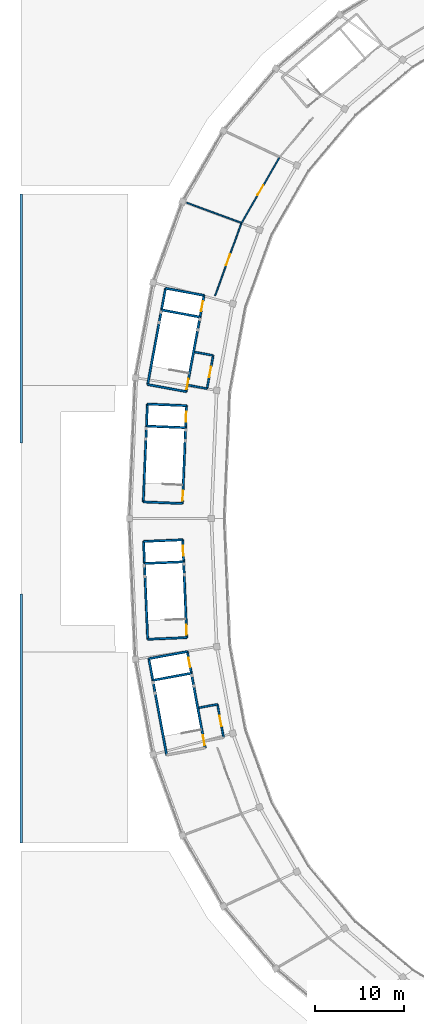
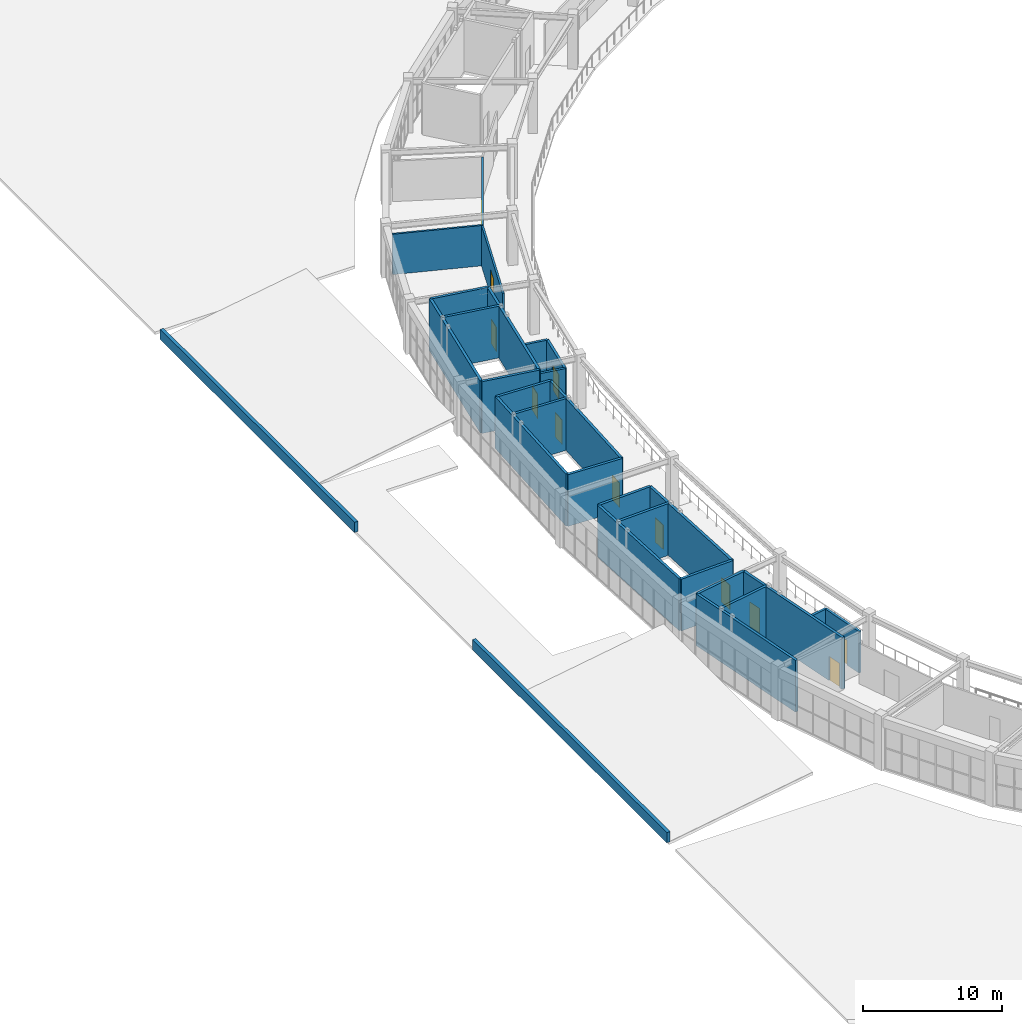
# One storey, part 38 of 45: 29 walls, 12 doors, 12 openings.
"""IFC4 building model written with IfcOpenShell, lengths in metres."""

from ifc_helpers import new_model, si_unit, direction, frame, frame_2d, origin, place, context, subcontext, project, spatial, rectangle, extrude, material, layer, layer_set, type_object, element, fill, save


model = new_model("IFC4")

# Units and contexts
model_context = context("Model", 3, precision=1e-05, world=origin(), true_north=direction((0.0, 1.0)))
body_context = subcontext(model_context, "Body", "Model", "MODEL_VIEW")
ifc_project = project(units=[si_unit("LENGTHUNIT", "METRE"), si_unit("AREAUNIT", "SQUARE_METRE"), si_unit("VOLUMEUNIT", "CUBIC_METRE"), si_unit("PLANEANGLEUNIT", "RADIAN"), si_unit("MASSUNIT", "GRAM", prefix="KILO")], contexts=[model_context])

# Site, building, storey
site_placement = place(None, origin())
site = spatial("IfcSite", under=ifc_project, at=site_placement, CompositionType="ELEMENT")
building_placement = place(site_placement, origin())
building = spatial("IfcBuilding", under=site, at=building_placement, Name="Mphavela Belvedere Stadium", CompositionType="ELEMENT")
storey_placement = place(building_placement, frame((0.0, 0.0, 24.0)))
storey = spatial("IfcBuildingStorey", under=building, at=storey_placement, Name="L05", CompositionType="ELEMENT", Elevation=24.0)

# Walls
ifc_material_1 = material(Name="Concrete C40/50", Category="concrete")
ifc_layer_1 = layer(ifc_material_1, 0.219970703125)
ifc_layer_set_1 = layer_set([ifc_layer_1], Name="Concrete C40/50")
wall_type_1 = type_object("IfcWallType", Name="WAL-CORE-SHEAR-220", PredefinedType="SHEAR", material=ifc_layer_set_1)
wall_1_placement = place(storey_placement, frame((14.228271484375, 102.085205078125, 0.0), z_axis=(0.0, 0.0, 1.0), x_axis=(0.182574755222, 0.983191974517, 0.0)))
element("IfcWall", 1, at=wall_1_placement, inside=storey, type_object=wall_type_1, Name="Core C06 shear wall L05 rear", PredefinedType="SHEAR", context=body_context, shape_type="SweptSolid", body=[
    extrude(rectangle(XDim=11.02001953125, YDim=0.219970703125, at=frame_2d((5.510009765625, 0.0))), origin(), (0.0, 0.0, 1.0), 4.550048828125),
])
for number, where, z_axis, x_axis, name in (
    (2, (18.56396484375, 101.27978515625, 0.0), (0.0, 0.0, 1.0), (-0.983179789985, 0.182640358532, 0.0), "Core C06 shear wall L05 left"),
    (3, (20.575927734375, 112.11474609375, 0.0), (0.0, 0.0, 1.0), (-0.983189729951, 0.18258684213, 0.0), "Core C06 shear wall L05 right"),
):
    element("IfcWall", number, at=place(storey_placement, frame(where, z_axis=z_axis, x_axis=x_axis)), inside=storey, type_object=wall_type_1, Name=name, PredefinedType="SHEAR", context=body_context, shape_type="SweptSolid", body=[
        extrude(rectangle(XDim=4.409912109375, YDim=0.219970703125, at=frame_2d((2.205078125, 0.0))), origin(), (0.0, 0.0, 1.0), 4.550048828125),
    ])

# Wall, openings, doors
wall_2_placement = place(storey_placement, frame((18.56396484375, 101.27978515625, 0.0), z_axis=(0.0, 0.0, 1.0), x_axis=(0.182570778451, 0.983192712979, 0.0)))
wall_2 = element("IfcWall", 4, at=wall_2_placement, inside=storey, type_object=wall_type_1, Name="Core C06 shear wall L05 front", PredefinedType="SHEAR", context=body_context, shape_type="SweptSolid", body=[
    extrude(rectangle(XDim=11.020263671875, YDim=0.219970703125, at=frame_2d((5.51025390625, 0.0))), origin(), (0.0, 0.0, 1.0), 4.550048828125),
])
opening_1_placement = place(wall_2_placement, frame((0.300048828125, 0.0, 0.0)))
opening_1 = element("IfcOpeningElement", 5, at=opening_1_placement, cuts=wall_2, Name="Opening SD-032", PredefinedType="OPENING", context=body_context, shape_type="SweptSolid", body=[
    extrude(rectangle(XDim=1.14990234375, YDim=2.14990234375, at=frame_2d((0.574951171875, 1.074951171875))), frame((0.0, 0.1201171875, 0.0), z_axis=(0.0, -1.0, 0.0), x_axis=(1.0, 0.0, 0.0)), (0.0, 0.0, 1.0), 0.239990234375),
])
opening_2_placement = place(wall_2_placement, frame((9.22998046875, 0.0, 0.0)))
opening_2 = element("IfcOpeningElement", 6, at=opening_2_placement, cuts=wall_2, Name="Opening LD-032", PredefinedType="OPENING", context=body_context, shape_type="SweptSolid", body=[
    extrude(rectangle(XDim=1.10009765625, YDim=2.14990234375, at=frame_2d((0.550048828125, 1.074951171875))), frame((0.0, 0.1201171875, 0.0), z_axis=(0.0, -1.0, 0.0), x_axis=(1.0, 0.0, 0.0)), (0.0, 0.0, 1.0), 0.239990234375),
])
ifc_material_2 = material(Name="Stainless steel center-parting lift landing door", Category="steel")
door_type_1 = type_object("IfcDoorType", Name="DR-LIFT-SLIDE-1100", OperationType="NOTDEFINED", PredefinedType="DOOR", material=ifc_material_2)
door_1_placement = place(opening_2_placement, origin())
door_1 = element("IfcDoor", 7, at=door_1_placement, inside=storey, type_object=door_type_1, Name="Lift landing sliding door FL03 L05", OperationType="DOUBLE_DOOR_SLIDING", OverallHeight=2.14990234375, OverallWidth=1.10009765625, PredefinedType="DOOR", context=body_context, shape_type="SweptSolid", body=[
    extrude(rectangle(XDim=1.10009765625, YDim=2.14990234375, at=frame_2d((0.550048828125, 1.074951171875))), frame((0.0, 0.02490234375, 0.0), z_axis=(0.0, -1.0, 0.0), x_axis=(1.0, 0.0, 0.0)), (0.0, 0.0, 1.0), 0.050048828125),
])
fill(opening_2, door_1)
ifc_material_3 = material(Name="Steel acoustic fire-resisting stair doorset", Category="steel")
door_type_2 = type_object("IfcDoorType", Name="DR-STAIR-FIRE-1150", OperationType="NOTDEFINED", PredefinedType="DOOR", material=ifc_material_3)
door_2_placement = place(opening_1_placement, origin())
door_2 = element("IfcDoor", 8, at=door_2_placement, inside=storey, type_object=door_type_2, Name="Escape stair fire door C06 L05", OperationType="SINGLE_SWING_LEFT", OverallHeight=2.14990234375, OverallWidth=1.14990234375, PredefinedType="DOOR", context=body_context, shape_type="SweptSolid", body=[
    extrude(rectangle(XDim=1.14990234375, YDim=2.14990234375, at=frame_2d((0.574951171875, 1.074951171875))), frame((0.0, 0.02490234375, 0.0), z_axis=(0.0, -1.0, 0.0), x_axis=(1.0, 0.0, 0.0)), (0.0, 0.0, 1.0), 0.050048828125),
])
fill(opening_1, door_2)

# Walls
wall_3_placement = place(storey_placement, frame((20.123291015625, 109.676513671875, 0.0), z_axis=(0.0, 0.0, 1.0), x_axis=(-0.983201511677, 0.182523388739, 0.0)))
element("IfcWall", 9, at=wall_3_placement, inside=storey, type_object=wall_type_1, Name="Core C06 shear wall L05 div", PredefinedType="SHEAR", context=body_context, shape_type="SweptSolid", body=[
    extrude(rectangle(XDim=4.409912109375, YDim=0.219970703125, at=frame_2d((2.205078125, 0.0))), origin(), (0.0, 0.0, 1.0), 4.550048828125),
])
wall_4_placement = place(storey_placement, frame((13.737548828125, 88.87548828125, 0.0), z_axis=(0.0, 0.0, 1.0), x_axis=(0.041871977473, 0.999122984173, 0.0)))
element("IfcWall", 10, at=wall_4_placement, inside=storey, type_object=wall_type_1, Name="Core C07 shear wall L05 rear", PredefinedType="SHEAR", context=body_context, shape_type="SweptSolid", body=[
    extrude(rectangle(XDim=11.02001953125, YDim=0.219970703125, at=frame_2d((5.510009765625, 0.0))), origin(), (0.0, 0.0, 1.0), 4.550048828125),
])
wall_5_placement = place(storey_placement, frame((18.143798828125, 88.69091796875, 0.0), z_axis=(0.0, 0.0, 1.0), x_axis=(-0.999123838087, 0.041851596941, 0.0)))
element("IfcWall", 11, at=wall_5_placement, inside=storey, type_object=wall_type_1, Name="Core C07 shear wall L05 left", PredefinedType="SHEAR", context=body_context, shape_type="SweptSolid", body=[
    extrude(rectangle(XDim=4.41015625, YDim=0.219970703125, at=frame_2d((2.205078125, 0.0))), origin(), (0.0, 0.0, 1.0), 4.550048828125),
])
wall_6_placement = place(storey_placement, frame((18.60498046875, 99.701171875, 0.0), z_axis=(0.0, 0.0, 1.0), x_axis=(-0.999123741114, 0.041853911912, 0.0)))
element("IfcWall", 12, at=wall_6_placement, inside=storey, type_object=wall_type_1, Name="Core C07 shear wall L05 right", PredefinedType="SHEAR", context=body_context, shape_type="SweptSolid", body=[
    extrude(rectangle(XDim=4.409912109375, YDim=0.219970703125, at=frame_2d((2.205078125, 0.0))), origin(), (0.0, 0.0, 1.0), 4.550048828125),
])

# Wall, openings, doors
wall_7_placement = place(storey_placement, frame((18.143798828125, 88.69091796875, 0.0), z_axis=(0.0, 0.0, 1.0), x_axis=(0.0418498618, 0.999123910768, 0.0)))
wall_7 = element("IfcWall", 13, at=wall_7_placement, inside=storey, type_object=wall_type_1, Name="Core C07 shear wall L05 front", PredefinedType="SHEAR", context=body_context, shape_type="SweptSolid", body=[
    extrude(rectangle(XDim=11.02001953125, YDim=0.219970703125, at=frame_2d((5.510009765625, 0.0))), origin(), (0.0, 0.0, 1.0), 4.550048828125),
])
opening_3_placement = place(wall_7_placement, frame((0.300048828125, 0.0, 0.0)))
opening_3 = element("IfcOpeningElement", 14, at=opening_3_placement, cuts=wall_7, Name="Opening SD-038", PredefinedType="OPENING", context=body_context, shape_type="SweptSolid", body=[
    extrude(rectangle(XDim=1.14990234375, YDim=2.14990234375, at=frame_2d((0.574951171875, 1.074951171875))), frame((0.0, 0.1201171875, 0.0), z_axis=(0.0, -1.0, 0.0), x_axis=(1.0, 0.0, 0.0)), (0.0, 0.0, 1.0), 0.239990234375),
])
opening_4_placement = place(wall_7_placement, frame((9.22998046875, 0.0, 0.0)))
opening_4 = element("IfcOpeningElement", 15, at=opening_4_placement, cuts=wall_7, Name="Opening LD-038", PredefinedType="OPENING", context=body_context, shape_type="SweptSolid", body=[
    extrude(rectangle(XDim=1.10009765625, YDim=2.14990234375, at=frame_2d((0.550048828125, 1.074951171875))), frame((0.0, 0.1201171875, 0.0), z_axis=(0.0, -1.0, 0.0), x_axis=(1.0, 0.0, 0.0)), (0.0, 0.0, 1.0), 0.239990234375),
])
door_3_placement = place(opening_4_placement, origin())
door_3 = element("IfcDoor", 16, at=door_3_placement, inside=storey, type_object=door_type_1, Name="Lift landing sliding door PL03 L05", OperationType="DOUBLE_DOOR_SLIDING", OverallHeight=2.14990234375, OverallWidth=1.10009765625, PredefinedType="DOOR", context=body_context, shape_type="SweptSolid", body=[
    extrude(rectangle(XDim=1.10009765625, YDim=2.14990234375, at=frame_2d((0.550048828125, 1.074951171875))), frame((0.0, 0.02490234375, 0.0), z_axis=(0.0, -1.0, 0.0), x_axis=(1.0, 0.0, 0.0)), (0.0, 0.0, 1.0), 0.050048828125),
])
fill(opening_4, door_3)
door_4_placement = place(opening_3_placement, origin())
door_4 = element("IfcDoor", 17, at=door_4_placement, inside=storey, type_object=door_type_2, Name="Escape stair fire door C07 L05", OperationType="SINGLE_SWING_RIGHT", OverallHeight=2.14990234375, OverallWidth=1.14990234375, PredefinedType="DOOR", context=body_context, shape_type="SweptSolid", body=[
    extrude(rectangle(XDim=1.14990234375, YDim=2.14990234375, at=frame_2d((0.574951171875, 1.074951171875))), frame((0.0, 0.02490234375, 0.0), z_axis=(0.0, -1.0, 0.0), x_axis=(1.0, 0.0, 0.0)), (0.0, 0.0, 1.0), 0.050048828125),
])
fill(opening_3, door_4)

# Walls
wall_8_placement = place(storey_placement, frame((18.501220703125, 97.223388671875, 0.0), z_axis=(0.0, 0.0, 1.0), x_axis=(-0.999123741114, 0.041853911912, 0.0)))
element("IfcWall", 18, at=wall_8_placement, inside=storey, type_object=wall_type_1, Name="Core C07 shear wall L05 div", PredefinedType="SHEAR", context=body_context, shape_type="SweptSolid", body=[
    extrude(rectangle(XDim=4.409912109375, YDim=0.219970703125, at=frame_2d((2.205078125, 0.0))), origin(), (0.0, 0.0, 1.0), 4.550048828125),
])
wall_9_placement = place(storey_placement, frame((14.228271484375, 73.414794921875, 0.0), z_axis=(0.0, 0.0, 1.0), x_axis=(-0.041871977473, 0.999122984173, 0.0)))
element("IfcWall", 19, at=wall_9_placement, inside=storey, type_object=wall_type_1, Name="Core C08 shear wall L05 rear", PredefinedType="SHEAR", context=body_context, shape_type="SweptSolid", body=[
    extrude(rectangle(XDim=11.02001953125, YDim=0.219970703125, at=frame_2d((5.510009765625, 0.0))), origin(), (0.0, 0.0, 1.0), 4.550048828125),
])
for number, where, z_axis, x_axis, name in (
    (20, (18.634521484375, 73.599609375, 0.0), (0.0, 0.0, 1.0), (-0.999121521721, -0.041906859039, 0.0), "Core C08 shear wall L05 left"),
    (21, (18.173095703125, 84.60986328125, 0.0), (0.0, 0.0, 1.0), (-0.999121521721, -0.041906859039, 0.0), "Core C08 shear wall L05 right"),
):
    element("IfcWall", number, at=place(storey_placement, frame(where, z_axis=z_axis, x_axis=x_axis)), inside=storey, type_object=wall_type_1, Name=name, PredefinedType="SHEAR", context=body_context, shape_type="SweptSolid", body=[
        extrude(rectangle(XDim=4.41015625, YDim=0.219970703125, at=frame_2d((2.205078125, 0.0))), origin(), (0.0, 0.0, 1.0), 4.550048828125),
    ])

# Wall, openings, doors
wall_10_placement = place(storey_placement, frame((18.634521484375, 73.599609375, 0.0), z_axis=(0.0, 0.0, 1.0), x_axis=(-0.041871977473, 0.999122984173, 0.0)))
wall_10 = element("IfcWall", 22, at=wall_10_placement, inside=storey, type_object=wall_type_1, Name="Core C08 shear wall L05 front", PredefinedType="SHEAR", context=body_context, shape_type="SweptSolid", body=[
    extrude(rectangle(XDim=11.02001953125, YDim=0.219970703125, at=frame_2d((5.510009765625, 0.0))), origin(), (0.0, 0.0, 1.0), 4.550048828125),
])
opening_5_placement = place(wall_10_placement, frame((0.300048828125, 0.0, 0.0)))
opening_5 = element("IfcOpeningElement", 23, at=opening_5_placement, cuts=wall_10, Name="Opening SD-044", PredefinedType="OPENING", context=body_context, shape_type="SweptSolid", body=[
    extrude(rectangle(XDim=1.14990234375, YDim=2.14990234375, at=frame_2d((0.574951171875, 1.074951171875))), frame((0.0, 0.1201171875, 0.0), z_axis=(0.0, -1.0, 0.0), x_axis=(1.0, 0.0, 0.0)), (0.0, 0.0, 1.0), 0.239990234375),
])
opening_6_placement = place(wall_10_placement, frame((9.22998046875, 0.0, 0.0)))
opening_6 = element("IfcOpeningElement", 24, at=opening_6_placement, cuts=wall_10, Name="Opening LD-044", PredefinedType="OPENING", context=body_context, shape_type="SweptSolid", body=[
    extrude(rectangle(XDim=1.10009765625, YDim=2.14990234375, at=frame_2d((0.550048828125, 1.074951171875))), frame((0.0, 0.1201171875, 0.0), z_axis=(0.0, -1.0, 0.0), x_axis=(1.0, 0.0, 0.0)), (0.0, 0.0, 1.0), 0.239990234375),
])
door_5_placement = place(opening_6_placement, origin())
door_5 = element("IfcDoor", 25, at=door_5_placement, inside=storey, type_object=door_type_1, Name="Lift landing sliding door PL04 L05", OperationType="DOUBLE_DOOR_SLIDING", OverallHeight=2.14990234375, OverallWidth=1.10009765625, PredefinedType="DOOR", context=body_context, shape_type="SweptSolid", body=[
    extrude(rectangle(XDim=1.10009765625, YDim=2.14990234375, at=frame_2d((0.550048828125, 1.074951171875))), frame((0.0, 0.02490234375, 0.0), z_axis=(0.0, -1.0, 0.0), x_axis=(1.0, 0.0, 0.0)), (0.0, 0.0, 1.0), 0.050048828125),
])
fill(opening_6, door_5)
door_6_placement = place(opening_5_placement, origin())
door_6 = element("IfcDoor", 26, at=door_6_placement, inside=storey, type_object=door_type_2, Name="Escape stair fire door C08 L05", OperationType="SINGLE_SWING_RIGHT", OverallHeight=2.14990234375, OverallWidth=1.14990234375, PredefinedType="DOOR", context=body_context, shape_type="SweptSolid", body=[
    extrude(rectangle(XDim=1.14990234375, YDim=2.14990234375, at=frame_2d((0.574951171875, 1.074951171875))), frame((0.0, 0.02490234375, 0.0), z_axis=(0.0, -1.0, 0.0), x_axis=(1.0, 0.0, 0.0)), (0.0, 0.0, 1.0), 0.050048828125),
])
fill(opening_5, door_6)

# Walls
wall_11_placement = place(storey_placement, frame((18.27685546875, 82.132080078125, 0.0), z_axis=(0.0, 0.0, 1.0), x_axis=(-0.999121521721, -0.041906859039, 0.0)))
element("IfcWall", 27, at=wall_11_placement, inside=storey, type_object=wall_type_1, Name="Core C08 shear wall L05 div", PredefinedType="SHEAR", context=body_context, shape_type="SweptSolid", body=[
    extrude(rectangle(XDim=4.41015625, YDim=0.219970703125, at=frame_2d((2.205078125, 0.0))), origin(), (0.0, 0.0, 1.0), 4.550048828125),
])
wall_12_placement = place(storey_placement, frame((16.367919921875, 60.391845703125, 0.0), z_axis=(0.0, 0.0, 1.0), x_axis=(-0.182570778451, 0.983192712979, 0.0)))
element("IfcWall", 28, at=wall_12_placement, inside=storey, type_object=wall_type_1, Name="Core C09 shear wall L05 rear", PredefinedType="SHEAR", context=body_context, shape_type="SweptSolid", body=[
    extrude(rectangle(XDim=11.020263671875, YDim=0.219970703125, at=frame_2d((5.51025390625, 0.0))), origin(), (0.0, 0.0, 1.0), 4.550048828125),
])
wall_13_placement = place(storey_placement, frame((18.69189453125, 72.031982421875, 0.0), z_axis=(0.0, 0.0, 1.0), x_axis=(-0.983191575486, -0.182576904051, 0.0)))
element("IfcWall", 29, at=wall_13_placement, inside=storey, type_object=wall_type_1, Name="Core C09 shear wall L05 right", PredefinedType="SHEAR", context=body_context, shape_type="SweptSolid", body=[
    extrude(rectangle(XDim=4.41015625, YDim=0.219970703125, at=frame_2d((2.205078125, 0.0))), origin(), (0.0, 0.0, 1.0), 4.550048828125),
])

# Wall, openings, doors
wall_14_placement = place(storey_placement, frame((20.703857421875, 61.197021484375, 0.0), z_axis=(0.0, 0.0, 1.0), x_axis=(-0.182570778451, 0.983192712979, 0.0)))
wall_14 = element("IfcWall", 30, at=wall_14_placement, inside=storey, type_object=wall_type_1, Name="Core C09 shear wall L05 front", PredefinedType="SHEAR", context=body_context, shape_type="SweptSolid", body=[
    extrude(rectangle(XDim=11.020263671875, YDim=0.219970703125, at=frame_2d((5.51025390625, 0.0))), origin(), (0.0, 0.0, 1.0), 4.550048828125),
])
opening_7_placement = place(wall_14_placement, frame((0.300048828125, 0.0, 0.0)))
opening_7 = element("IfcOpeningElement", 31, at=opening_7_placement, cuts=wall_14, Name="Opening SD-050", PredefinedType="OPENING", context=body_context, shape_type="SweptSolid", body=[
    extrude(rectangle(XDim=1.14990234375, YDim=2.14990234375, at=frame_2d((0.574951171875, 1.074951171875))), frame((0.0, 0.1201171875, 0.0), z_axis=(0.0, -1.0, 0.0), x_axis=(1.0, 0.0, 0.0)), (0.0, 0.0, 1.0), 0.239990234375),
])
opening_8_placement = place(wall_14_placement, frame((9.22998046875, 0.0, 0.0)))
opening_8 = element("IfcOpeningElement", 32, at=opening_8_placement, cuts=wall_14, Name="Opening LD-050", PredefinedType="OPENING", context=body_context, shape_type="SweptSolid", body=[
    extrude(rectangle(XDim=1.10009765625, YDim=2.14990234375, at=frame_2d((0.550048828125, 1.074951171875))), frame((0.0, 0.1201171875, 0.0), z_axis=(0.0, -1.0, 0.0), x_axis=(1.0, 0.0, 0.0)), (0.0, 0.0, 1.0), 0.239990234375),
])
door_7_placement = place(opening_8_placement, origin())
door_7 = element("IfcDoor", 33, at=door_7_placement, inside=storey, type_object=door_type_1, Name="Lift landing sliding door FL04 L05", OperationType="DOUBLE_DOOR_SLIDING", OverallHeight=2.14990234375, OverallWidth=1.10009765625, PredefinedType="DOOR", context=body_context, shape_type="SweptSolid", body=[
    extrude(rectangle(XDim=1.10009765625, YDim=2.14990234375, at=frame_2d((0.550048828125, 1.074951171875))), frame((0.0, 0.02490234375, 0.0), z_axis=(0.0, -1.0, 0.0), x_axis=(1.0, 0.0, 0.0)), (0.0, 0.0, 1.0), 0.050048828125),
])
fill(opening_8, door_7)
door_8_placement = place(opening_7_placement, origin())
door_8 = element("IfcDoor", 34, at=door_8_placement, inside=storey, type_object=door_type_2, Name="Escape stair fire door C09 L05", OperationType="SINGLE_SWING_LEFT", OverallHeight=2.14990234375, OverallWidth=1.14990234375, PredefinedType="DOOR", context=body_context, shape_type="SweptSolid", body=[
    extrude(rectangle(XDim=1.14990234375, YDim=2.14990234375, at=frame_2d((0.574951171875, 1.074951171875))), frame((0.0, 0.02490234375, 0.0), z_axis=(0.0, -1.0, 0.0), x_axis=(1.0, 0.0, 0.0)), (0.0, 0.0, 1.0), 0.050048828125),
])
fill(opening_7, door_8)

# Walls
wall_15_placement = place(storey_placement, frame((19.14453125, 69.593505859375, 0.0), z_axis=(0.0, 0.0, 1.0), x_axis=(-0.983189729951, -0.18258684213, 0.0)))
element("IfcWall", 35, at=wall_15_placement, inside=storey, type_object=wall_type_1, Name="Core C09 shear wall L05 div", PredefinedType="SHEAR", context=body_context, shape_type="SweptSolid", body=[
    extrude(rectangle(XDim=4.409912109375, YDim=0.219970703125, at=frame_2d((2.205078125, 0.0))), origin(), (0.0, 0.0, 1.0), 4.550048828125),
])
ifc_material_4 = material(Name="Honed ashlar limestone coping wall", Category="masonry")
ifc_layer_2 = layer(ifc_material_4, 0.280029296875)
ifc_layer_set_2 = layer_set([ifc_layer_2], Name="Honed ashlar limestone coping wall")
wall_type_2 = type_object("IfcWallType", Name="WAL-PARAPET-280", PredefinedType="PARAPET", material=ifc_layer_set_2)
for number, where, z_axis, x_axis, name in (
    (36, (0.0, 50.5, 0.239990234375), (0.0, 0.0, 1.0), (0.0, 1.0, 0.0), "West Planted Eaves Peristyle Colonnade classical eaves parapet A"),
    (37, (0.0, 95.5, 0.239990234375), (0.0, 0.0, 1.0), (0.0, 1.0, 0.0), "West Planted Eaves Peristyle Colonnade classical eaves parapet B"),
):
    element("IfcWall", number, at=place(storey_placement, frame(where, z_axis=z_axis, x_axis=x_axis)), inside=storey, type_object=wall_type_2, Name=name, PredefinedType="PARAPET", context=body_context, shape_type="SweptSolid", body=[
        extrude(rectangle(XDim=28.0, YDim=0.280029296875, at=frame_2d((14.0, 0.0))), origin(), (0.0, 0.0, 1.0), 0.89990234375),
    ])

# Wall, opening, door
ifc_material_5 = material(Name="Acoustic gypsum stud partition assembly")
ifc_layer_3 = layer(ifc_material_5, 0.14990234375)
ifc_layer_set_3 = layer_set([ifc_layer_3], Name="Acoustic gypsum stud partition assembly")
wall_type_3 = type_object("IfcWallType", Name="WAL-PART-150", PredefinedType="PARTITIONING", material=ifc_layer_set_3)
wall_16_placement = place(storey_placement, frame((29.0537109375, 127.636962890625, 0.0), z_axis=(0.0, 0.0, 1.0), x_axis=(-0.500565474843, -0.865698680486, 0.0)))
wall_16 = element("IfcWall", 38, at=wall_16_placement, inside=storey, type_object=wall_type_3, Name="Room L05-22 corridor partition", PredefinedType="PARTITIONING", context=body_context, shape_type="SweptSolid", body=[
    extrude(rectangle(XDim=8.505126953125, YDim=0.14990234375, at=frame_2d((4.25244140625, 0.0))), origin(), (0.0, 0.0, 1.0), 3.550048828125),
])
opening_9_placement = place(wall_16_placement, frame((3.62255859375, 0.0, 0.0)))
opening_9 = element("IfcOpeningElement", 39, at=opening_9_placement, cuts=wall_16, Name="Opening ID-358", PredefinedType="OPENING", context=body_context, shape_type="SweptSolid", body=[
    extrude(rectangle(XDim=1.260009765625, YDim=2.300048828125, at=frame_2d((0.6298828125, 1.14990234375))), frame((0.0, 0.0849609375, 0.0), z_axis=(0.0, -1.0, 0.0), x_axis=(1.0, 0.0, 0.0)), (0.0, 0.0, 1.0), 0.169921875),
])
ifc_material_6 = material(Name="Hardwood acoustic timber doorset", Category="wood")
door_type_3 = type_object("IfcDoorType", Name="DR-INT-34", OperationType="NOTDEFINED", PredefinedType="DOOR", material=ifc_material_6)
door_9_placement = place(opening_9_placement, origin())
door_9 = element("IfcDoor", 40, at=door_9_placement, inside=storey, type_object=door_type_3, Name="Room L05-22 entrance door ID-358", OperationType="SINGLE_SWING_RIGHT", OverallHeight=2.300048828125, OverallWidth=1.260009765625, PredefinedType="DOOR", context=body_context, shape_type="SweptSolid", body=[
    extrude(rectangle(XDim=1.260009765625, YDim=2.300048828125, at=frame_2d((0.6298828125, 1.14990234375))), frame((0.0, 0.02490234375, 0.0), z_axis=(0.0, -1.0, 0.0), x_axis=(1.0, 0.0, 0.0)), (0.0, 0.0, 1.0), 0.050048828125),
])
fill(opening_9, door_9)

wall_17_placement = place(storey_placement, frame((24.762939453125, 120.201171875, 0.0), z_axis=(0.0, 0.0, 1.0), x_axis=(-0.341028418636, -0.940052986636, 0.0)))
wall_17 = element("IfcWall", 41, at=wall_17_placement, inside=storey, type_object=wall_type_3, Name="Room L05-24 corridor partition", PredefinedType="PARTITIONING", context=body_context, shape_type="SweptSolid", body=[
    extrude(rectangle(XDim=8.6416015625, YDim=0.14990234375, at=frame_2d((4.32080078125, 0.0))), origin(), (0.0, 0.0, 1.0), 3.550048828125),
])
opening_10_placement = place(wall_17_placement, frame((3.66064453125, 0.0, 0.0)))
opening_10 = element("IfcOpeningElement", 42, at=opening_10_placement, cuts=wall_17, Name="Opening ID-359", PredefinedType="OPENING", context=body_context, shape_type="SweptSolid", body=[
    extrude(rectangle(XDim=1.320068359375, YDim=2.300048828125, at=frame_2d((0.66015625, 1.14990234375))), frame((0.0, 0.0849609375, 0.0), z_axis=(0.0, -1.0, 0.0), x_axis=(1.0, 0.0, 0.0)), (0.0, 0.0, 1.0), 0.169921875),
])
ifc_material_7 = material(Name="Hardwood acoustic timber doorset", Category="wood")
door_type_4 = type_object("IfcDoorType", Name="DR-INT-35", OperationType="NOTDEFINED", PredefinedType="DOOR", material=ifc_material_7)
door_10_placement = place(opening_10_placement, origin())
door_10 = element("IfcDoor", 43, at=door_10_placement, inside=storey, type_object=door_type_4, Name="Room L05-24 entrance door ID-359", OperationType="SINGLE_SWING_LEFT", OverallHeight=2.300048828125, OverallWidth=1.320068359375, PredefinedType="DOOR", context=body_context, shape_type="SweptSolid", body=[
    extrude(rectangle(XDim=1.320068359375, YDim=2.300048828125, at=frame_2d((0.66015625, 1.14990234375))), frame((0.0, 0.02490234375, 0.0), z_axis=(0.0, -1.0, 0.0), x_axis=(1.0, 0.0, 0.0)), (0.0, 0.0, 1.0), 0.050048828125),
])
fill(opening_10, door_10)

# Wall
wall_18_placement = place(storey_placement, frame((24.79638671875, 120.274169921875, 0.0), z_axis=(0.0, 0.0, 1.0), x_axis=(-0.938343116817, 0.345705358827, 0.0)))
element("IfcWall", 44, at=wall_18_placement, inside=storey, type_object=wall_type_3, Name="Room divider partition L05-0637", PredefinedType="PARTITIONING", context=body_context, shape_type="SweptSolid", body=[
    extrude(rectangle(XDim=6.57470703125, YDim=0.14990234375, at=frame_2d((3.287353515625, 0.0))), origin(), (0.0, 0.0, 1.0), 3.550048828125),
])

# Wall, opening, door
ifc_material_8 = material(Name="Fire-rated calcium silicate partition assembly")
ifc_layer_4 = layer(ifc_material_8, 0.199951171875)
ifc_layer_set_4 = layer_set([ifc_layer_4], Name="Fire-rated calcium silicate partition assembly")
wall_type_4 = type_object("IfcWallType", Name="WAL-PART-FF-200", PredefinedType="PARTITIONING", material=ifc_layer_set_4)
wall_19_placement = place(storey_placement, frame((20.909912109375, 101.6171875, 0.0), z_axis=(0.0, 0.0, 1.0), x_axis=(0.18258154775, 0.983190713148, 0.0)))
wall_19 = element("IfcWall", 45, at=wall_19_placement, inside=storey, type_object=wall_type_4, Name="Firefighting lobby front wall C06 L05", PredefinedType="PARTITIONING", context=body_context, shape_type="SweptSolid", body=[
    extrude(rectangle(XDim=3.80029296875, YDim=0.199951171875, at=frame_2d((1.900146484375, 0.0))), origin(), (0.0, 0.0, 1.0), 3.64990234375),
])
opening_11_placement = place(wall_19_placement, frame((1.300048828125, 0.0, 0.0)))
opening_11 = element("IfcOpeningElement", 46, at=opening_11_placement, cuts=wall_19, Name="Opening FD-016", PredefinedType="OPENING", context=body_context, shape_type="SweptSolid", body=[
    extrude(rectangle(XDim=1.199951171875, YDim=2.179931640625, at=frame_2d((0.60009765625, 1.08984375))), frame((0.0, 0.10986328125, 0.0), z_axis=(0.0, -1.0, 0.0), x_axis=(1.0, 0.0, 0.0)), (0.0, 0.0, 1.0), 0.219970703125),
])
ifc_material_9 = material(Name="Steel smoke-sealed firefighting lobby doorset", Category="steel")
door_type_5 = type_object("IfcDoorType", Name="DR-FF-LOBBY-1200", OperationType="NOTDEFINED", PredefinedType="DOOR", material=ifc_material_9)
door_11_placement = place(opening_11_placement, origin())
door_11 = element("IfcDoor", 47, at=door_11_placement, inside=storey, type_object=door_type_5, Name="Firefighting lobby door C06 L05", OperationType="SINGLE_SWING_RIGHT", OverallHeight=2.179931640625, OverallWidth=1.199951171875, PredefinedType="DOOR", context=body_context, shape_type="SweptSolid", body=[
    extrude(rectangle(XDim=1.199951171875, YDim=2.179931640625, at=frame_2d((0.60009765625, 1.08984375))), frame((0.0, 0.02490234375, 0.0), z_axis=(0.0, -1.0, 0.0), x_axis=(1.0, 0.0, 0.0)), (0.0, 0.0, 1.0), 0.050048828125),
])
fill(opening_11, door_11)

# Walls
for number, where, z_axis, x_axis, name in (
    (48, (20.909912109375, 101.6171875, 0.0), (0.0, 0.0, 1.0), (-0.983177215189, 0.182654218495, 0.0), "Firefighting lobby side wall L C06 L05"),
    (49, (21.603759765625, 105.353515625, 0.0), (0.0, 0.0, 1.0), (-0.983197891107, 0.182542890641, 0.0), "Firefighting lobby side wall R C06 L05"),
):
    element("IfcWall", number, at=place(storey_placement, frame(where, z_axis=z_axis, x_axis=x_axis)), inside=storey, type_object=wall_type_4, Name=name, PredefinedType="PARTITIONING", context=body_context, shape_type="SweptSolid", body=[
        extrude(rectangle(XDim=2.119873046875, YDim=0.199951171875, at=frame_2d((1.06005859375, 0.0))), origin(), (0.0, 0.0, 1.0), 3.64990234375),
    ])

# Wall, opening, door
wall_20_placement = place(storey_placement, frame((22.7724609375, 62.354248046875, 0.0), z_axis=(0.0, 0.0, 1.0), x_axis=(-0.182593081072, 0.983188571305, 0.0)))
wall_20 = element("IfcWall", 50, at=wall_20_placement, inside=storey, type_object=wall_type_4, Name="Firefighting lobby front wall C09 L05", PredefinedType="PARTITIONING", context=body_context, shape_type="SweptSolid", body=[
    extrude(rectangle(XDim=3.800048828125, YDim=0.199951171875, at=frame_2d((1.89990234375, 0.0))), origin(), (0.0, 0.0, 1.0), 3.64990234375),
])
opening_12_placement = place(wall_20_placement, frame((1.300048828125, 0.0, 0.0)))
opening_12 = element("IfcOpeningElement", 51, at=opening_12_placement, cuts=wall_20, Name="Opening FD-022", PredefinedType="OPENING", context=body_context, shape_type="SweptSolid", body=[
    extrude(rectangle(XDim=1.199951171875, YDim=2.179931640625, at=frame_2d((0.60009765625, 1.08984375))), frame((0.0, 0.10986328125, 0.0), z_axis=(0.0, -1.0, 0.0), x_axis=(1.0, 0.0, 0.0)), (0.0, 0.0, 1.0), 0.219970703125),
])
door_12_placement = place(opening_12_placement, origin())
door_12 = element("IfcDoor", 52, at=door_12_placement, inside=storey, type_object=door_type_5, Name="Firefighting lobby door C09 L05", OperationType="SINGLE_SWING_RIGHT", OverallHeight=2.179931640625, OverallWidth=1.199951171875, PredefinedType="DOOR", context=body_context, shape_type="SweptSolid", body=[
    extrude(rectangle(XDim=1.199951171875, YDim=2.179931640625, at=frame_2d((0.60009765625, 1.08984375))), frame((0.0, 0.02490234375, 0.0), z_axis=(0.0, -1.0, 0.0), x_axis=(1.0, 0.0, 0.0)), (0.0, 0.0, 1.0), 0.050048828125),
])
fill(opening_12, door_12)

# Wall
wall_21_placement = place(storey_placement, frame((22.07861328125, 66.09033203125, 0.0), z_axis=(0.0, 0.0, 1.0), x_axis=(-0.983201728106, -0.182522222892, 0.0)))
element("IfcWall", 53, at=wall_21_placement, inside=storey, type_object=wall_type_4, Name="Firefighting lobby side wall R C09 L05", PredefinedType="PARTITIONING", context=body_context, shape_type="SweptSolid", body=[
    extrude(rectangle(XDim=2.1201171875, YDim=0.199951171875, at=frame_2d((1.06005859375, 0.0))), origin(), (0.0, 0.0, 1.0), 3.64990234375),
])

save(model, "model.ifc")
